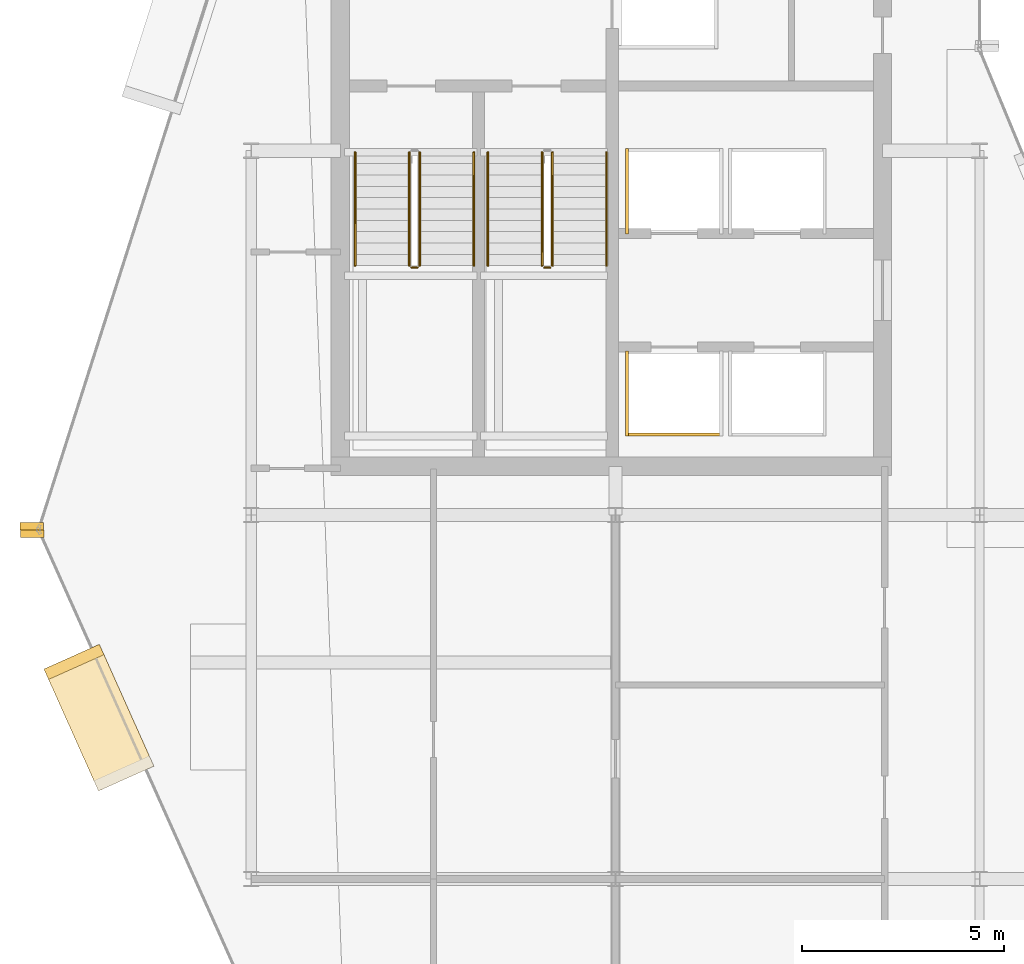
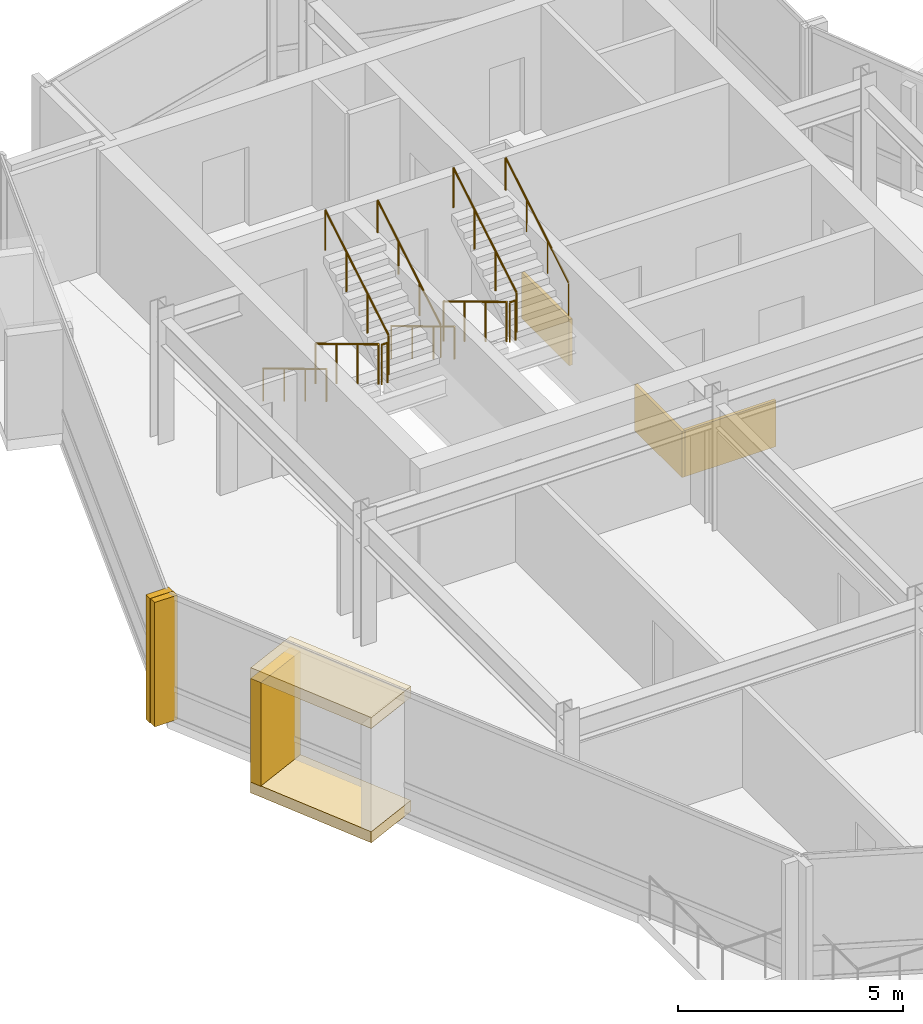
# One storey, part 17 of 19: 10 railings, 8 coverings.
"""IFC4 building model written with IfcOpenShell, lengths in metres."""

from ifc_helpers import new_model, si_unit, direction, frame, origin, origin_2d, place, context, subcontext, project, spatial, rectangle, circle, extrude, material, layer, layer_set, type_object, element, save


model = new_model("IFC4")

# Units and contexts
model_context = context("Model", 3, precision=1e-05, world=origin(), true_north=direction((0.0, 1.0)))
body_context = subcontext(model_context, "Body", "Model", "MODEL_VIEW")
ifc_project = project(units=[si_unit("LENGTHUNIT", "METRE"), si_unit("AREAUNIT", "SQUARE_METRE"), si_unit("VOLUMEUNIT", "CUBIC_METRE"), si_unit("PLANEANGLEUNIT", "RADIAN"), si_unit("MASSUNIT", "GRAM", prefix="KILO")], contexts=[model_context])

# Site, building, storey
site_placement = place(None, origin())
site = spatial("IfcSite", under=ifc_project, at=site_placement, CompositionType="ELEMENT")
building_placement = place(site_placement, origin())
building = spatial("IfcBuilding", under=site, at=building_placement, Name="Solvaryn Broadcast Tower", CompositionType="ELEMENT")
storey_placement = place(building_placement, frame((0.0, 0.0, 281.5)))
storey = spatial("IfcBuildingStorey", under=building, at=storey_placement, Name="L71", CompositionType="ELEMENT", Elevation=281.5)

# Coverings
ifc_material_1 = material(Name="Fire-Rated Gypsum Shaftwall Liner", Category="concrete")
ifc_layer_1 = layer(ifc_material_1, 0.080078125)
ifc_layer_set_1 = layer_set([ifc_layer_1], Name="CV-SHAFT-LINER")
covering_type_1 = type_object("IfcCoveringType", Name="CV-SHAFT-LINER", PredefinedType="CLADDING", material=ifc_layer_set_1)
covering_1_placement = place(storey_placement, frame((19.449951171875, 28.985107421875, 0.0), z_axis=(0.0, 0.0, 1.0), x_axis=(1.0, 0.0, 0.0)))
element("IfcCovering", 1, at=covering_1_placement, inside=storey, type_object=covering_type_1, Name="L71 PH1 Hoistway Shaft Liner South", PredefinedType="CLADDING", context=body_context, shape_type="SweptSolid", body=[
    extrude(rectangle(XDim=2.409912109375, YDim=0.080078125, at=origin_2d()), origin(), (0.0, 0.0, 1.0), 1.25),
])
for number, where, z_axis, x_axis, name in (
    (2, (18.284912109375, 30.0, 0.0), (0.0, 0.0, 1.0), (1.0, 0.0, 0.0), "L71 PH1 Hoistway Shaft Liner West"),
    (3, (18.284912109375, 35.0, 0.0), (0.0, 0.0, 1.0), (1.0, 0.0, 0.0), "L71 PH3 Hoistway Shaft Liner West"),
):
    element("IfcCovering", number, at=place(storey_placement, frame(where, z_axis=z_axis, x_axis=x_axis)), inside=storey, type_object=covering_type_1, Name=name, PredefinedType="CLADDING", context=body_context, shape_type="SweptSolid", body=[
        extrude(rectangle(XDim=0.080078125, YDim=2.110107421875, at=origin_2d()), origin(), (0.0, 0.0, 1.0), 1.25),
    ])
ifc_material_2 = material(Name="Glazed Architectural Terracotta Rainscreen Cladding", Category="masonry")
ifc_layer_2 = layer(ifc_material_2, 0.280029296875)
ifc_layer_set_2 = layer_set([ifc_layer_2], Name="CV-TC-CLAD")
covering_type_2 = type_object("IfcCoveringType", Name="CV-TC-CLAD", PredefinedType="CLADDING", material=ifc_layer_set_2)
for number, where, z_axis, x_axis, name in (
    (4, (5.236083984375, 21.989990234375, 3.080078125), (0.0, 0.0, 1.0), (0.408489773781, -0.91276289622, 0.0), "L71 Projecting Stone Window Box Hood 2"),
    (5, (5.236083984375, 21.989990234375, -0.01025390625), (0.0, 0.0, 1.0), (0.408489773781, -0.91276289622, 0.0), "L71 Projecting Stone Window Box Sill 2"),
):
    element("IfcCovering", number, at=place(storey_placement, frame(where, z_axis=z_axis, x_axis=x_axis)), inside=storey, type_object=covering_type_2, Name=name, PredefinedType="CLADDING", context=body_context, shape_type="SweptSolid", body=[
        extrude(rectangle(XDim=3.300048828125, YDim=1.5, at=origin_2d()), origin(), (0.0, 0.0, 1.0), 0.300048828125),
    ])
covering_2_placement = place(storey_placement, frame((4.619140625, 23.368408203125, 0.280029296875), z_axis=(0.0, 0.0, 1.0), x_axis=(0.408489773781, -0.91276289622, 0.0)))
element("IfcCovering", 6, at=covering_2_placement, inside=storey, type_object=covering_type_2, Name="L71 Projecting Stone Window Box Cheek 2-1", PredefinedType="CLADDING", context=body_context, shape_type="SweptSolid", body=[
    extrude(rectangle(XDim=0.280029296875, YDim=1.5, at=origin_2d()), origin(), (0.0, 0.0, 1.0), 2.81005859375),
])
ifc_material_3 = material(Name="Extruded Architectural Terracotta Fin", Category="masonry")
ifc_layer_3 = layer(ifc_material_3, 0.179931640625)
ifc_layer_set_3 = layer_set([ifc_layer_3], Name="CV-TC-FIN")
covering_type_3 = type_object("IfcCoveringType", Name="CV-TC-FIN", PredefinedType="USERDEFINED", material=ifc_layer_set_3)
for number, where, z_axis, x_axis, name in (
    (7, (3.575439453125, 26.71923828125, 0.0), (0.0, 0.0, 1.0), (1.0, 0.0, 0.0), "L71 Terracotta Vertical Fin FIN-L71-DR1-M01"),
    (8, (3.5859375, 26.53515625, 0.0), (0.0, 0.0, 1.0), (1.0, 0.0, 0.0), "L71 Terracotta Vertical Fin FIN-L71-DR2-M00"),
):
    element("IfcCovering", number, at=place(storey_placement, frame(where, z_axis=z_axis, x_axis=x_axis)), inside=storey, type_object=covering_type_3, Name=name, ObjectType="FIN", PredefinedType="USERDEFINED", context=body_context, shape_type="SweptSolid", body=[
        extrude(rectangle(XDim=0.580078125, YDim=0.179931640625, at=origin_2d()), origin(), (0.0, 0.0, 1.0), 3.3701171875),
    ])

# Railings
ifc_material_4 = material(Name="Painted Steel Stair Well Guard", Category="steel")
railing_type_1 = type_object("IfcRailingType", Name="RL-STAIR-GUARD", PredefinedType="BALUSTRADE", material=ifc_material_4)
railing_1_placement = place(storey_placement, frame((12.909912109375, 35.9599609375, 0.168212890625)))
element("IfcRailing", 9, at=railing_1_placement, inside=storey, type_object=railing_type_1, Name="L71 ST1 stair guard 1", PredefinedType="BALUSTRADE", context=body_context, shape_type="SweptSolid", body=[
    extrude(circle(Radius=0.02392578125, at=origin_2d()), frame((0.0, 0.0, 1.076171875), z_axis=(0.0, -0.857242210791, 0.514913383045), x_axis=(1.0, 0.0, 0.0)), (0.0, 0.0, 1.0), 3.266357421875),
    extrude(circle(Radius=0.02099609375, at=origin_2d()), origin(), (0.0, 0.0, 1.0), 1.052001953125),
    extrude(circle(Radius=0.02099609375, at=origin_2d()), frame((0.0, -0.933349609375, 0.560546875)), (0.0, 0.0, 1.0), 1.052001953125),
    extrude(circle(Radius=0.02099609375, at=origin_2d()), frame((0.0, -1.86669921875, 1.121337890625)), (0.0, 0.0, 1.0), 1.052001953125),
    extrude(circle(Radius=0.02099609375, at=origin_2d()), frame((0.0, -2.800048828125, 1.681884765625)), (0.0, 0.0, 1.0), 1.052001953125),
])
railing_2_placement = place(storey_placement, frame((12.9599609375, 33.110107421875, 1.85009765625)))
element("IfcRailing", 10, at=railing_2_placement, inside=storey, type_object=railing_type_1, Name="L71 ST1 stair guard 2", PredefinedType="BALUSTRADE", context=body_context, shape_type="SweptSolid", body=[
    extrude(circle(Radius=0.02392578125, at=origin_2d()), frame((0.0, 0.0, 1.076171875), z_axis=(1.0, 0.0, 0.0), x_axis=(0.0, 1.0, 0.0)), (0.0, 0.0, 1.0), 0.150146484375),
    extrude(circle(Radius=0.02099609375, at=origin_2d()), origin(), (0.0, 0.0, 1.0), 1.052001953125),
    extrude(circle(Radius=0.02099609375, at=origin_2d()), frame((0.150146484375, 0.0, 0.0)), (0.0, 0.0, 1.0), 1.052001953125),
])
railing_3_placement = place(storey_placement, frame((13.159912109375, 33.159912109375, 2.01806640625)))
element("IfcRailing", 11, at=railing_3_placement, inside=storey, type_object=railing_type_1, Name="L71 ST1 stair guard 3", PredefinedType="BALUSTRADE", context=body_context, shape_type="SweptSolid", body=[
    extrude(circle(Radius=0.02392578125, at=origin_2d()), frame((0.0, 0.0, 1.076171875), z_axis=(0.0, 0.857242210791, 0.514913383045), x_axis=(-1.0, 0.0, 0.0)), (0.0, 0.0, 1.0), 3.266357421875),
    extrude(circle(Radius=0.02099609375, at=origin_2d()), origin(), (0.0, 0.0, 1.0), 1.052001953125),
    extrude(circle(Radius=0.02099609375, at=origin_2d()), frame((0.0, 0.933349609375, 0.560546875)), (0.0, 0.0, 1.0), 1.052001953125),
    extrude(circle(Radius=0.02099609375, at=origin_2d()), frame((0.0, 1.86669921875, 1.121337890625)), (0.0, 0.0, 1.0), 1.052001953125),
    extrude(circle(Radius=0.02099609375, at=origin_2d()), frame((0.0, 2.800048828125, 1.681884765625)), (0.0, 0.0, 1.0), 1.052001953125),
])
railing_4_placement = place(storey_placement, frame((16.18994140625, 35.9599609375, 0.168212890625)))
element("IfcRailing", 12, at=railing_4_placement, inside=storey, type_object=railing_type_1, Name="L71 ST2 stair guard 1", PredefinedType="BALUSTRADE", context=body_context, shape_type="SweptSolid", body=[
    extrude(circle(Radius=0.02392578125, at=origin_2d()), frame((0.0, 0.0, 1.076171875), z_axis=(0.0, -0.857242210791, 0.514913383045), x_axis=(1.0, 0.0, 0.0)), (0.0, 0.0, 1.0), 3.266357421875),
    extrude(circle(Radius=0.02099609375, at=origin_2d()), origin(), (0.0, 0.0, 1.0), 1.052001953125),
    extrude(circle(Radius=0.02099609375, at=origin_2d()), frame((0.0, -0.933349609375, 0.560546875)), (0.0, 0.0, 1.0), 1.052001953125),
    extrude(circle(Radius=0.02099609375, at=origin_2d()), frame((0.0, -1.86669921875, 1.121337890625)), (0.0, 0.0, 1.0), 1.052001953125),
    extrude(circle(Radius=0.02099609375, at=origin_2d()), frame((0.0, -2.800048828125, 1.681884765625)), (0.0, 0.0, 1.0), 1.052001953125),
])
railing_5_placement = place(storey_placement, frame((16.239990234375, 33.110107421875, 1.85009765625)))
element("IfcRailing", 13, at=railing_5_placement, inside=storey, type_object=railing_type_1, Name="L71 ST2 stair guard 2", PredefinedType="BALUSTRADE", context=body_context, shape_type="SweptSolid", body=[
    extrude(circle(Radius=0.02392578125, at=origin_2d()), frame((0.0, 0.0, 1.076171875), z_axis=(1.0, 0.0, 0.0), x_axis=(0.0, 1.0, 0.0)), (0.0, 0.0, 1.0), 0.14990234375),
    extrude(circle(Radius=0.02099609375, at=origin_2d()), origin(), (0.0, 0.0, 1.0), 1.052001953125),
    extrude(circle(Radius=0.02099609375, at=origin_2d()), frame((0.14990234375, 0.0, 0.0)), (0.0, 0.0, 1.0), 1.052001953125),
])
railing_6_placement = place(storey_placement, frame((16.43994140625, 33.159912109375, 2.01806640625)))
element("IfcRailing", 14, at=railing_6_placement, inside=storey, type_object=railing_type_1, Name="L71 ST2 stair guard 3", PredefinedType="BALUSTRADE", context=body_context, shape_type="SweptSolid", body=[
    extrude(circle(Radius=0.02392578125, at=origin_2d()), frame((0.0, 0.0, 1.076171875), z_axis=(0.0, 0.857242210791, 0.514913383045), x_axis=(-1.0, 0.0, 0.0)), (0.0, 0.0, 1.0), 3.266357421875),
    extrude(circle(Radius=0.02099609375, at=origin_2d()), origin(), (0.0, 0.0, 1.0), 1.052001953125),
    extrude(circle(Radius=0.02099609375, at=origin_2d()), frame((0.0, 0.933349609375, 0.560546875)), (0.0, 0.0, 1.0), 1.052001953125),
    extrude(circle(Radius=0.02099609375, at=origin_2d()), frame((0.0, 1.86669921875, 1.121337890625)), (0.0, 0.0, 1.0), 1.052001953125),
    extrude(circle(Radius=0.02099609375, at=origin_2d()), frame((0.0, 2.800048828125, 1.681884765625)), (0.0, 0.0, 1.0), 1.052001953125),
])
ifc_material_5 = material(Name="Brushed Stainless Steel Tubular Handrail", Category="steel")
railing_type_2 = type_object("IfcRailingType", Name="RL-STAIR-HANDRAIL", PredefinedType="HANDRAIL", material=ifc_material_5)
railing_7_placement = place(storey_placement, frame((11.570068359375, 35.9599609375, 0.168212890625)))
element("IfcRailing", 15, at=railing_7_placement, inside=storey, type_object=railing_type_2, Name="L71 ST1 stair handrail 1", PredefinedType="HANDRAIL", context=body_context, shape_type="SweptSolid", body=[
    extrude(circle(Radius=0.02392578125, at=origin_2d()), frame((0.0, 0.0, 0.8759765625), z_axis=(0.0, -0.857242210791, 0.514913383045), x_axis=(1.0, 0.0, 0.0)), (0.0, 0.0, 1.0), 3.266357421875),
    extrude(circle(Radius=0.02099609375, at=origin_2d()), origin(), (0.0, 0.0, 1.0), 0.851806640625),
    extrude(circle(Radius=0.02099609375, at=origin_2d()), frame((0.0, -0.933349609375, 0.560546875)), (0.0, 0.0, 1.0), 0.851806640625),
    extrude(circle(Radius=0.02099609375, at=origin_2d()), frame((0.0, -1.86669921875, 1.121337890625)), (0.0, 0.0, 1.0), 0.851806640625),
    extrude(circle(Radius=0.02099609375, at=origin_2d()), frame((0.0, -2.800048828125, 1.681884765625)), (0.0, 0.0, 1.0), 0.851806640625),
])
railing_8_placement = place(storey_placement, frame((14.5, 33.159912109375, 2.01806640625)))
element("IfcRailing", 16, at=railing_8_placement, inside=storey, type_object=railing_type_2, Name="L71 ST1 stair handrail 2", PredefinedType="HANDRAIL", context=body_context, shape_type="SweptSolid", body=[
    extrude(circle(Radius=0.02392578125, at=origin_2d()), frame((0.0, 0.0, 0.8759765625), z_axis=(0.0, 0.857242210791, 0.514913383045), x_axis=(-1.0, 0.0, 0.0)), (0.0, 0.0, 1.0), 3.266357421875),
    extrude(circle(Radius=0.02099609375, at=origin_2d()), origin(), (0.0, 0.0, 1.0), 0.851806640625),
    extrude(circle(Radius=0.02099609375, at=origin_2d()), frame((0.0, 0.933349609375, 0.560546875)), (0.0, 0.0, 1.0), 0.851806640625),
    extrude(circle(Radius=0.02099609375, at=origin_2d()), frame((0.0, 1.86669921875, 1.121337890625)), (0.0, 0.0, 1.0), 0.851806640625),
    extrude(circle(Radius=0.02099609375, at=origin_2d()), frame((0.0, 2.800048828125, 1.681884765625)), (0.0, 0.0, 1.0), 0.851806640625),
])
railing_9_placement = place(storey_placement, frame((14.85009765625, 35.9599609375, 0.168212890625)))
element("IfcRailing", 17, at=railing_9_placement, inside=storey, type_object=railing_type_2, Name="L71 ST2 stair handrail 1", PredefinedType="HANDRAIL", context=body_context, shape_type="SweptSolid", body=[
    extrude(circle(Radius=0.02392578125, at=origin_2d()), frame((0.0, 0.0, 0.8759765625), z_axis=(0.0, -0.857242210791, 0.514913383045), x_axis=(1.0, 0.0, 0.0)), (0.0, 0.0, 1.0), 3.266357421875),
    extrude(circle(Radius=0.02099609375, at=origin_2d()), origin(), (0.0, 0.0, 1.0), 0.851806640625),
    extrude(circle(Radius=0.02099609375, at=origin_2d()), frame((0.0, -0.933349609375, 0.560546875)), (0.0, 0.0, 1.0), 0.851806640625),
    extrude(circle(Radius=0.02099609375, at=origin_2d()), frame((0.0, -1.86669921875, 1.121337890625)), (0.0, 0.0, 1.0), 0.851806640625),
    extrude(circle(Radius=0.02099609375, at=origin_2d()), frame((0.0, -2.800048828125, 1.681884765625)), (0.0, 0.0, 1.0), 0.851806640625),
])
railing_10_placement = place(storey_placement, frame((17.780029296875, 33.159912109375, 2.01806640625)))
element("IfcRailing", 18, at=railing_10_placement, inside=storey, type_object=railing_type_2, Name="L71 ST2 stair handrail 2", PredefinedType="HANDRAIL", context=body_context, shape_type="SweptSolid", body=[
    extrude(circle(Radius=0.02392578125, at=origin_2d()), frame((0.0, 0.0, 0.8759765625), z_axis=(0.0, 0.857242210791, 0.514913383045), x_axis=(-1.0, 0.0, 0.0)), (0.0, 0.0, 1.0), 3.266357421875),
    extrude(circle(Radius=0.02099609375, at=origin_2d()), origin(), (0.0, 0.0, 1.0), 0.851806640625),
    extrude(circle(Radius=0.02099609375, at=origin_2d()), frame((0.0, 0.933349609375, 0.560546875)), (0.0, 0.0, 1.0), 0.851806640625),
    extrude(circle(Radius=0.02099609375, at=origin_2d()), frame((0.0, 1.86669921875, 1.121337890625)), (0.0, 0.0, 1.0), 0.851806640625),
    extrude(circle(Radius=0.02099609375, at=origin_2d()), frame((0.0, 2.800048828125, 1.681884765625)), (0.0, 0.0, 1.0), 0.851806640625),
])

save(model, "model.ifc")
